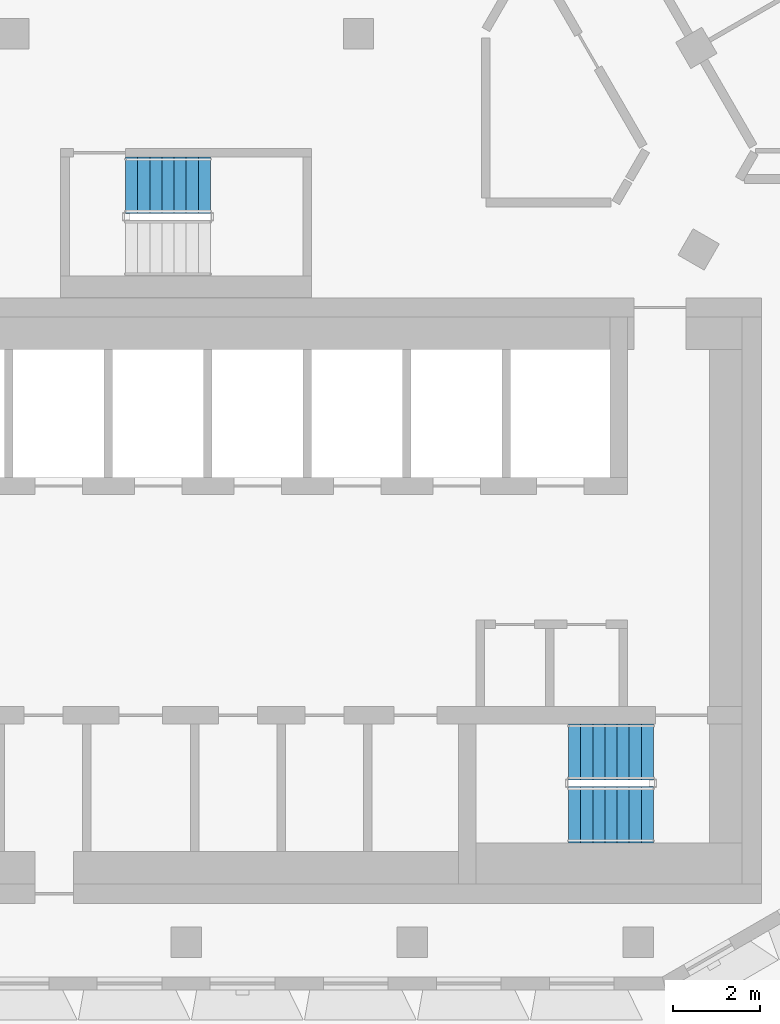
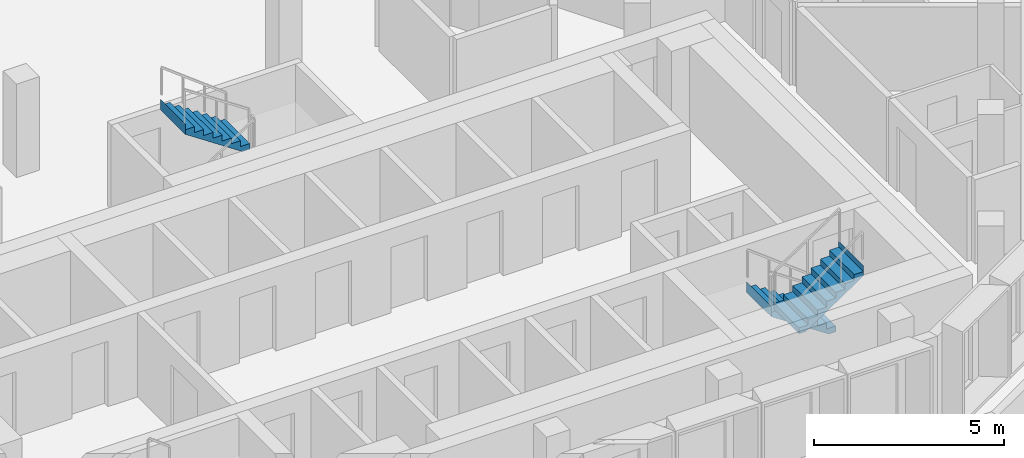
# One storey, part 11 of 15: 3 stair flights, 2 elements without a shape of their own.
"""IFC4 building model written with IfcOpenShell, lengths in metres."""

import ifcopenshell
import ifcopenshell.guid

model = None  # the IFC model being written
_history = None  # IfcOwnerHistory: only IFC2X3 demands one
_inside = {}  # id of a spatial element -> (the spatial element, [elements in it])
_under = {}  # id of a project, library or spatial element -> (it, [spatial elements below it])
_declared = {}  # id of a project -> (the project, [libraries it declares])
_typed = {}  # id of a type object -> (the type object, [elements of that type])
_made_of = {}  # id of a material, layer set ... -> (it, [elements and type objects made of it])


def new_model(schema):
    """Start an empty IFC model of exactly this schema.

    Asked for "IFC4X3", IfcOpenShell would pick the latest addendum, in which some entities
    have other attributes; the version numbers below select the first issue.
    IFC2X3 requires an IfcOwnerHistory on every rooted entity: one is made here for all.
    """
    global model, _history
    if schema == "IFC4X3":
        model = ifcopenshell.file(schema_version=(4, 3, 0, 0))
    else:
        model = ifcopenshell.file(schema=schema)
    _inside.clear()
    _under.clear()
    _declared.clear()
    _typed.clear()
    _made_of.clear()
    _history = None
    if model.schema == "IFC2X3":
        org = make("IfcOrganization", Name="unknown")
        user = make(
            "IfcPersonAndOrganization",
            ThePerson=make("IfcPerson", FamilyName="unknown"),
            TheOrganization=org,
        )
        app = make(
            "IfcApplication",
            ApplicationDeveloper=org,
            Version="unknown",
            ApplicationFullName="unknown",
            ApplicationIdentifier="unknown",
        )
        _history = make(
            "IfcOwnerHistory",
            OwningUser=user,
            OwningApplication=app,
            ChangeAction="ADDED",
            CreationDate=0,
        )
    return model


def make(cls, **values):
    """One entity of the class cls with the attributes given. An attribute that is None is left unset."""
    return model.create_entity(
        cls, **{name: value for name, value in values.items() if value is not None}
    )


def rooted(cls, **values):
    """An entity with a GlobalId (a new one), such as an element, a storey or a relation."""
    return make(cls, GlobalId=ifcopenshell.guid.new(), OwnerHistory=_history, **values)


def si_unit(unit_type, name, prefix=None):
    """IfcSIUnit, for example si_unit("LENGTHUNIT", "METRE", prefix="MILLI")."""
    return make("IfcSIUnit", UnitType=unit_type, Prefix=prefix, Name=name)


def assignment(units):
    """IfcUnitAssignment: the units of a project."""
    return None if units is None else make("IfcUnitAssignment", Units=units)


def point(xyz):
    """IfcCartesianPoint."""
    return None if xyz is None else make("IfcCartesianPoint", Coordinates=xyz)


def direction(xyz):
    """IfcDirection."""
    return None if xyz is None else make("IfcDirection", DirectionRatios=xyz)


def frame(location, z_axis=None, x_axis=None):
    """IfcAxis2Placement3D, a coordinate frame: its origin and axes. An axis left out is left unset."""
    return make(
        "IfcAxis2Placement3D",
        Location=point(location),
        Axis=direction(z_axis),
        RefDirection=direction(x_axis),
    )


def origin():
    """The frame at (0, 0, 0) with its axes left unset."""
    return frame((0.0, 0.0, 0.0))


def place(relative_to, where):
    """IfcLocalPlacement: puts the frame where relative to a parent placement (None: the world)."""
    return make(
        "IfcLocalPlacement", PlacementRelTo=relative_to, RelativePlacement=where
    )


def context(
    kind, dimensions, precision=None, world=None, true_north=None, identifier=None
):
    """IfcGeometricRepresentationContext, for example the 3D "Model" context."""
    return make(
        "IfcGeometricRepresentationContext",
        ContextIdentifier=identifier,
        ContextType=kind,
        CoordinateSpaceDimension=dimensions,
        Precision=precision,
        WorldCoordinateSystem=world,
        TrueNorth=true_north,
    )


def subcontext(parent, identifier, kind, view, scale=None):
    """IfcGeometricRepresentationSubContext, for example "Body" below "Model"."""
    return make(
        "IfcGeometricRepresentationSubContext",
        ContextIdentifier=identifier,
        ContextType=kind,
        ParentContext=parent,
        TargetScale=scale,
        TargetView=view,
    )


def project(units=None, contexts=None):
    """IfcProject with its units and contexts."""
    return rooted(
        "IfcProject",
        Name="project",
        RepresentationContexts=contexts,
        UnitsInContext=assignment(units),
    )


def spatial(cls, under=None, at=None, **own):
    """A site, building, storey or space (cls), placed at a placement, below another one or the project."""
    s = rooted(cls, ObjectPlacement=at, **own)
    if under is not None:
        _under.setdefault(under.id(), (under, []))[1].append(s)
    return s


def point_list(points):
    """IfcCartesianPointList2D or 3D."""
    cls = (
        "IfcCartesianPointList2D" if len(points[0]) == 2 else "IfcCartesianPointList3D"
    )
    return make(cls, CoordList=points)


def triangles(points, corners, closed=None, point_numbers=None):
    """IfcTriangulatedFaceSet: each triangle names its three corners, points numbered from 1."""
    return make(
        "IfcTriangulatedFaceSet",
        Coordinates=point_list(points),
        Closed=closed,
        CoordIndex=corners,
        PnIndex=point_numbers,
    )


def shape(context_of_items, identifier, shape_type, items):
    """IfcShapeRepresentation: the items that make up one representation, for example the "Body"."""
    return make(
        "IfcShapeRepresentation",
        ContextOfItems=context_of_items,
        RepresentationIdentifier=identifier,
        RepresentationType=shape_type,
        Items=items,
    )


def material(Name=None, Category=None):
    """IfcMaterial."""
    return make("IfcMaterial", Name=Name, Category=Category)


def made_of(thing, what):
    """Note that an element or type object is made of a material, layer set ...; save() writes the relation."""
    if what is not None:
        _made_of.setdefault(what.id(), (what, []))[1].append(thing)
    return thing


def type_object(cls, material=None, **own):
    """A type object (cls), such as IfcWallType, which elements share."""
    return made_of(rooted(cls, **own), material)


def element(
    cls,
    number,
    at=None,
    inside=None,
    cuts=None,
    type_object=None,
    material=None,
    context=None,
    identifier="Body",
    shape_type=None,
    held_by="IfcProductDefinitionShape",
    body=None,
    shapes=None,
    **own,
):
    """One element of the class cls, such as IfcWall. Its Tag is "e" and its number.

    at: its placement. inside: the storey or other place that contains it. cuts: it is an
    opening in that element (IfcRelVoidsElement). A single representation is given by context,
    identifier, shape_type and body (its items); several are given by shapes. held_by: the class
    of the entity that holds the representations. save() writes the other relations.
    """
    e = rooted(cls, Tag="e%d" % number, ObjectPlacement=at, **own)
    if body is not None:
        shapes = [shape(context, identifier, shape_type, body)]
    if shapes is not None:
        e.Representation = make(held_by, Representations=shapes)
    if inside is not None:
        _inside.setdefault(inside.id(), (inside, []))[1].append(e)
    if cuts is not None:
        rooted(
            "IfcRelVoidsElement", RelatingBuildingElement=cuts, RelatedOpeningElement=e
        )
    if type_object is not None:
        _typed.setdefault(type_object.id(), (type_object, []))[1].append(e)
    return made_of(e, material)


def aggregate(whole, parts):
    """IfcRelAggregates: a whole, such as a stair, and the parts it consists of."""
    return rooted("IfcRelAggregates", RelatingObject=whole, RelatedObjects=parts)


def save(model, path):
    """Write the relations noted so far, then the file.

    IfcRelAggregates (storeys below a building ...), IfcRelContainedInSpatialStructure (elements
    in a storey), IfcRelDefinesByType, IfcRelAssociatesMaterial and IfcRelDeclares: one each for
    every whole, place, type object, material and project.
    """
    for whole, parts in _under.values():
        aggregate(whole, parts)
    for where, things in _inside.values():
        rooted(
            "IfcRelContainedInSpatialStructure",
            RelatedElements=things,
            RelatingStructure=where,
        )
    for kind, things in _typed.values():
        rooted("IfcRelDefinesByType", RelatedObjects=things, RelatingType=kind)
    for what, things in _made_of.values():
        rooted("IfcRelAssociatesMaterial", RelatedObjects=things, RelatingMaterial=what)
    for by, libraries in _declared.values():
        rooted("IfcRelDeclares", RelatingContext=by, RelatedDefinitions=libraries)
    model.write(path)


model = new_model("IFC4")

# Units and contexts
model_context = context("Model", 3, precision=1e-05, world=origin(), true_north=direction((0.0, 1.0)))
body_context = subcontext(model_context, "Body", "Model", "MODEL_VIEW")
ifc_project = project(units=[si_unit("LENGTHUNIT", "METRE"), si_unit("AREAUNIT", "SQUARE_METRE"), si_unit("VOLUMEUNIT", "CUBIC_METRE"), si_unit("PLANEANGLEUNIT", "RADIAN"), si_unit("MASSUNIT", "GRAM", prefix="KILO")], contexts=[model_context])

# Site, building, storey
site_placement = place(None, origin())
site = spatial("IfcSite", under=ifc_project, at=site_placement, CompositionType="ELEMENT")
building_placement = place(site_placement, origin())
building = spatial("IfcBuilding", under=site, at=building_placement, Name="Beryl Residences", CompositionType="ELEMENT")
storey_placement = place(building_placement, frame((0.0, 0.0, 202.800048828125)))
storey = spatial("IfcBuildingStorey", under=building, at=storey_placement, Name="L62", CompositionType="ELEMENT", Elevation=202.800048828125)

# Stair, stair flights
ifc_material_1 = material(Name="Concrete C40/50", Category="concrete")
stair_type = type_object("IfcStairType", Name="ST1 protected exit stair, half-turn, 1300 mm flights", PredefinedType="HALF_TURN_STAIR", material=ifc_material_1)
stair_1_placement = place(storey_placement, origin())
stair_1 = element("IfcStair", 1, at=stair_1_placement, inside=storey, type_object=stair_type, Name="L62 PROTECTED EXIT STAIR ST-3", PredefinedType="HALF_TURN_STAIR")
ifc_material_2 = material(Name="Concrete C40/50", Category="concrete")
stair_flight_type = type_object("IfcStairFlightType", Name="SF1 stair flight 1300 mm", PredefinedType="STRAIGHT", material=ifc_material_2)
stair_flight_1_placement = place(storey_placement, frame((10.800048828125, -15.5, 0.0), z_axis=(0.0, 0.0, 1.0), x_axis=(-1.0, 0.0, 0.0)))
stair_flight_1 = element("IfcStairFlight", 2, at=stair_flight_1_placement, type_object=stair_flight_type, Name="ST-3 flight 1", NumberOfRisers=8, NumberOfTreads=7, PredefinedType="STRAIGHT", RiserHeight=0.1875, TreadLength=0.28, context=body_context, shape_type="Tessellation", body=[
    triangles([(0.0, -0.64990234375, 0.0), (0.0, -0.324951171875, 0.0), (0.0, 0.0, 0.0), (0.0, 0.324951171875, 0.0), (0.0, 0.64990234375, 0.0), (0.0, -0.64990234375, 0.1875), (0.0, -0.324951171875, 0.1875), (0.0, 0.0, 0.1875), (0.0, 0.324951171875, 0.1875), (0.0, 0.64990234375, 0.1875), (0.280029296875, -0.64990234375, 0.1875), (0.280029296875, -0.324951171875, 0.1875), (0.280029296875, 0.0, 0.1875), (0.280029296875, 0.324951171875, 0.1875), (0.280029296875, 0.64990234375, 0.1875), (0.280029296875, -0.64990234375, 0.375), (0.280029296875, -0.324951171875, 0.375), (0.280029296875, 0.0, 0.375), (0.280029296875, 0.324951171875, 0.375), (0.280029296875, 0.64990234375, 0.375), (0.56005859375, -0.64990234375, 0.375), (0.56005859375, -0.324951171875, 0.375), (0.56005859375, 0.0, 0.375), (0.56005859375, 0.324951171875, 0.375), (0.56005859375, 0.64990234375, 0.375), (0.56005859375, -0.64990234375, 0.5625), (0.56005859375, -0.324951171875, 0.5625), (0.56005859375, 0.0, 0.5625), (0.56005859375, 0.324951171875, 0.5625), (0.56005859375, 0.64990234375, 0.5625), (0.840087890625, -0.64990234375, 0.5625), (0.840087890625, -0.324951171875, 0.5625), (0.840087890625, 0.0, 0.5625), (0.840087890625, 0.324951171875, 0.5625), (0.840087890625, 0.64990234375, 0.5625), (0.840087890625, -0.64990234375, 0.75), (0.840087890625, -0.324951171875, 0.75), (0.840087890625, 0.0, 0.75), (0.840087890625, 0.324951171875, 0.75), (0.840087890625, 0.64990234375, 0.75), (1.1201171875, -0.64990234375, 0.75), (1.1201171875, -0.324951171875, 0.75), (1.1201171875, 0.0, 0.75), (1.1201171875, 0.324951171875, 0.75), (1.1201171875, 0.64990234375, 0.75), (1.1201171875, -0.64990234375, 0.9375), (1.1201171875, -0.324951171875, 0.9375), (1.1201171875, 0.0, 0.9375), (1.1201171875, 0.324951171875, 0.9375), (1.1201171875, 0.64990234375, 0.9375), (1.39990234375, -0.64990234375, 0.9375), (1.39990234375, -0.324951171875, 0.9375), (1.39990234375, 0.0, 0.9375), (1.39990234375, 0.324951171875, 0.9375), (1.39990234375, 0.64990234375, 0.9375), (1.39990234375, -0.64990234375, 1.125), (1.39990234375, -0.324951171875, 1.125), (1.39990234375, 0.0, 1.125), (1.39990234375, 0.324951171875, 1.125), (1.39990234375, 0.64990234375, 1.125), (1.679931640625, -0.64990234375, 1.125), (1.679931640625, -0.324951171875, 1.125), (1.679931640625, 0.0, 1.125), (1.679931640625, 0.324951171875, 1.125), (1.679931640625, 0.64990234375, 1.125), (1.679931640625, -0.64990234375, 1.3125), (1.679931640625, -0.324951171875, 1.3125), (1.679931640625, 0.0, 1.3125), (1.679931640625, 0.324951171875, 1.3125), (1.679931640625, 0.64990234375, 1.3125), (1.9599609375, -0.64990234375, 1.3125), (1.9599609375, -0.324951171875, 1.3125), (1.9599609375, 0.0, 1.3125), (1.9599609375, 0.324951171875, 1.3125), (1.9599609375, 0.64990234375, 1.3125), (1.9599609375, -0.64990234375, 1.5), (1.9599609375, -0.324951171875, 1.5), (1.9599609375, 0.0, 1.5), (1.9599609375, 0.324951171875, 1.5), (1.9599609375, 0.64990234375, 1.5), (1.9609375, -0.64990234375, 1.5), (1.9609375, -0.324951171875, 1.5), (1.9609375, 0.0, 1.5), (1.9609375, 0.324951171875, 1.5), (1.9609375, 0.64990234375, 1.5), (1.9609375, -0.64990234375, 1.16796875), (1.9609375, -0.324951171875, 1.16796875), (1.9609375, 0.0, 1.16796875), (1.9609375, 0.324951171875, 1.16796875), (1.9609375, 0.64990234375, 1.16796875), (0.216796875, -0.64990234375, 0.0), (0.216796875, -0.324951171875, 0.0), (0.216796875, 0.0, 0.0), (0.216796875, 0.324951171875, 0.0), (0.216796875, 0.64990234375, 0.0)], [[1, 6, 7], [1, 7, 2], [2, 7, 8], [2, 8, 3], [3, 8, 9], [3, 9, 4], [4, 9, 10], [4, 10, 5], [6, 11, 12], [6, 12, 7], [7, 12, 13], [7, 13, 8], [8, 13, 14], [8, 14, 9], [9, 14, 15], [9, 15, 10], [11, 16, 17], [11, 17, 12], [12, 17, 18], [12, 18, 13], [13, 18, 19], [13, 19, 14], [14, 19, 20], [14, 20, 15], [16, 21, 22], [16, 22, 17], [17, 22, 23], [17, 23, 18], [18, 23, 24], [18, 24, 19], [19, 24, 25], [19, 25, 20], [21, 26, 27], [21, 27, 22], [22, 27, 28], [22, 28, 23], [23, 28, 29], [23, 29, 24], [24, 29, 30], [24, 30, 25], [26, 31, 32], [26, 32, 27], [27, 32, 33], [27, 33, 28], [28, 33, 34], [28, 34, 29], [29, 34, 35], [29, 35, 30], [31, 36, 37], [31, 37, 32], [32, 37, 38], [32, 38, 33], [33, 38, 39], [33, 39, 34], [34, 39, 40], [34, 40, 35], [36, 41, 42], [36, 42, 37], [37, 42, 43], [37, 43, 38], [38, 43, 44], [38, 44, 39], [39, 44, 45], [39, 45, 40], [41, 46, 47], [41, 47, 42], [42, 47, 48], [42, 48, 43], [43, 48, 49], [43, 49, 44], [44, 49, 50], [44, 50, 45], [46, 51, 52], [46, 52, 47], [47, 52, 53], [47, 53, 48], [48, 53, 54], [48, 54, 49], [49, 54, 55], [49, 55, 50], [51, 56, 57], [51, 57, 52], [52, 57, 58], [52, 58, 53], [53, 58, 59], [53, 59, 54], [54, 59, 60], [54, 60, 55], [56, 61, 62], [56, 62, 57], [57, 62, 63], [57, 63, 58], [58, 63, 64], [58, 64, 59], [59, 64, 65], [59, 65, 60], [61, 66, 67], [61, 67, 62], [62, 67, 68], [62, 68, 63], [63, 68, 69], [63, 69, 64], [64, 69, 70], [64, 70, 65], [66, 71, 72], [66, 72, 67], [67, 72, 73], [67, 73, 68], [68, 73, 74], [68, 74, 69], [69, 74, 75], [69, 75, 70], [71, 76, 77], [71, 77, 72], [72, 77, 78], [72, 78, 73], [73, 78, 79], [73, 79, 74], [74, 79, 80], [74, 80, 75], [76, 81, 82], [76, 82, 77], [77, 82, 83], [77, 83, 78], [78, 83, 84], [78, 84, 79], [79, 84, 85], [79, 85, 80], [81, 86, 87], [81, 87, 82], [82, 87, 88], [82, 88, 83], [83, 88, 89], [83, 89, 84], [84, 89, 90], [84, 90, 85], [86, 91, 92], [86, 92, 87], [87, 92, 93], [87, 93, 88], [88, 93, 94], [88, 94, 89], [89, 94, 95], [89, 95, 90], [91, 1, 2], [91, 2, 92], [92, 2, 3], [92, 3, 93], [93, 3, 4], [93, 4, 94], [94, 4, 5], [94, 5, 95], [1, 91, 86], [5, 90, 95], [86, 81, 76], [90, 80, 85], [86, 76, 71], [90, 75, 80], [86, 71, 66], [90, 70, 75], [86, 66, 61], [90, 65, 70], [61, 56, 51], [65, 55, 60], [86, 61, 51], [90, 55, 65], [51, 46, 41], [55, 45, 50], [86, 51, 41], [90, 45, 55], [41, 36, 31], [45, 35, 40], [86, 41, 31], [90, 35, 45], [31, 26, 21], [35, 25, 30], [86, 31, 21], [90, 25, 35], [21, 16, 11], [25, 15, 20], [86, 21, 11], [90, 15, 25], [1, 86, 11], [5, 15, 90], [11, 6, 1], [15, 5, 10]], closed=True),
])
stair_flight_2_placement = place(storey_placement, frame((8.840087890625, -16.949951171875, 1.5), z_axis=(0.0, 0.0, 1.0), x_axis=(1.0, 0.0, 0.0)))
stair_flight_2 = element("IfcStairFlight", 3, at=stair_flight_2_placement, type_object=stair_flight_type, Name="ST-3 flight 2", NumberOfRisers=8, NumberOfTreads=7, PredefinedType="STRAIGHT", RiserHeight=0.1875, TreadLength=0.28, context=body_context, shape_type="Tessellation", body=[
    triangles([(0.0, -0.64990234375, 0.0), (0.0, -0.324951171875, 0.0), (0.0, 0.0, 0.0), (0.0, 0.324951171875, 0.0), (0.0, 0.64990234375, 0.0), (0.0, -0.64990234375, 0.1875), (0.0, -0.324951171875, 0.1875), (0.0, 0.0, 0.1875), (0.0, 0.324951171875, 0.1875), (0.0, 0.64990234375, 0.1875), (0.280029296875, -0.64990234375, 0.1875), (0.280029296875, -0.324951171875, 0.1875), (0.280029296875, 0.0, 0.1875), (0.280029296875, 0.324951171875, 0.1875), (0.280029296875, 0.64990234375, 0.1875), (0.280029296875, -0.64990234375, 0.375), (0.280029296875, -0.324951171875, 0.375), (0.280029296875, 0.0, 0.375), (0.280029296875, 0.324951171875, 0.375), (0.280029296875, 0.64990234375, 0.375), (0.56005859375, -0.64990234375, 0.375), (0.56005859375, -0.324951171875, 0.375), (0.56005859375, 0.0, 0.375), (0.56005859375, 0.324951171875, 0.375), (0.56005859375, 0.64990234375, 0.375), (0.56005859375, -0.64990234375, 0.5625), (0.56005859375, -0.324951171875, 0.5625), (0.56005859375, 0.0, 0.5625), (0.56005859375, 0.324951171875, 0.5625), (0.56005859375, 0.64990234375, 0.5625), (0.840087890625, -0.64990234375, 0.5625), (0.840087890625, -0.324951171875, 0.5625), (0.840087890625, 0.0, 0.5625), (0.840087890625, 0.324951171875, 0.5625), (0.840087890625, 0.64990234375, 0.5625), (0.840087890625, -0.64990234375, 0.75), (0.840087890625, -0.324951171875, 0.75), (0.840087890625, 0.0, 0.75), (0.840087890625, 0.324951171875, 0.75), (0.840087890625, 0.64990234375, 0.75), (1.1201171875, -0.64990234375, 0.75), (1.1201171875, -0.324951171875, 0.75), (1.1201171875, 0.0, 0.75), (1.1201171875, 0.324951171875, 0.75), (1.1201171875, 0.64990234375, 0.75), (1.1201171875, -0.64990234375, 0.9375), (1.1201171875, -0.324951171875, 0.9375), (1.1201171875, 0.0, 0.9375), (1.1201171875, 0.324951171875, 0.9375), (1.1201171875, 0.64990234375, 0.9375), (1.39990234375, -0.64990234375, 0.9375), (1.39990234375, -0.324951171875, 0.9375), (1.39990234375, 0.0, 0.9375), (1.39990234375, 0.324951171875, 0.9375), (1.39990234375, 0.64990234375, 0.9375), (1.39990234375, -0.64990234375, 1.125), (1.39990234375, -0.324951171875, 1.125), (1.39990234375, 0.0, 1.125), (1.39990234375, 0.324951171875, 1.125), (1.39990234375, 0.64990234375, 1.125), (1.679931640625, -0.64990234375, 1.125), (1.679931640625, -0.324951171875, 1.125), (1.679931640625, 0.0, 1.125), (1.679931640625, 0.324951171875, 1.125), (1.679931640625, 0.64990234375, 1.125), (1.679931640625, -0.64990234375, 1.3125), (1.679931640625, -0.324951171875, 1.3125), (1.679931640625, 0.0, 1.3125), (1.679931640625, 0.324951171875, 1.3125), (1.679931640625, 0.64990234375, 1.3125), (1.9599609375, -0.64990234375, 1.3125), (1.9599609375, -0.324951171875, 1.3125), (1.9599609375, 0.0, 1.3125), (1.9599609375, 0.324951171875, 1.3125), (1.9599609375, 0.64990234375, 1.3125), (1.9599609375, -0.64990234375, 1.5), (1.9599609375, -0.324951171875, 1.5), (1.9599609375, 0.0, 1.5), (1.9599609375, 0.324951171875, 1.5), (1.9599609375, 0.64990234375, 1.5), (1.9609375, -0.64990234375, 1.5), (1.9609375, -0.324951171875, 1.5), (1.9609375, 0.0, 1.5), (1.9609375, 0.324951171875, 1.5), (1.9609375, 0.64990234375, 1.5), (1.9609375, -0.64990234375, 1.16796875), (1.9609375, -0.324951171875, 1.16796875), (1.9609375, 0.0, 1.16796875), (1.9609375, 0.324951171875, 1.16796875), (1.9609375, 0.64990234375, 1.16796875), (0.216796875, -0.64990234375, 0.0), (0.216796875, -0.324951171875, 0.0), (0.216796875, 0.0, 0.0), (0.216796875, 0.324951171875, 0.0), (0.216796875, 0.64990234375, 0.0)], [[1, 6, 7], [1, 7, 2], [2, 7, 8], [2, 8, 3], [3, 8, 9], [3, 9, 4], [4, 9, 10], [4, 10, 5], [6, 11, 12], [6, 12, 7], [7, 12, 13], [7, 13, 8], [8, 13, 14], [8, 14, 9], [9, 14, 15], [9, 15, 10], [11, 16, 17], [11, 17, 12], [12, 17, 18], [12, 18, 13], [13, 18, 19], [13, 19, 14], [14, 19, 20], [14, 20, 15], [16, 21, 22], [16, 22, 17], [17, 22, 23], [17, 23, 18], [18, 23, 24], [18, 24, 19], [19, 24, 25], [19, 25, 20], [21, 26, 27], [21, 27, 22], [22, 27, 28], [22, 28, 23], [23, 28, 29], [23, 29, 24], [24, 29, 30], [24, 30, 25], [26, 31, 32], [26, 32, 27], [27, 32, 33], [27, 33, 28], [28, 33, 34], [28, 34, 29], [29, 34, 35], [29, 35, 30], [31, 36, 37], [31, 37, 32], [32, 37, 38], [32, 38, 33], [33, 38, 39], [33, 39, 34], [34, 39, 40], [34, 40, 35], [36, 41, 42], [36, 42, 37], [37, 42, 43], [37, 43, 38], [38, 43, 44], [38, 44, 39], [39, 44, 45], [39, 45, 40], [41, 46, 47], [41, 47, 42], [42, 47, 48], [42, 48, 43], [43, 48, 49], [43, 49, 44], [44, 49, 50], [44, 50, 45], [46, 51, 52], [46, 52, 47], [47, 52, 53], [47, 53, 48], [48, 53, 54], [48, 54, 49], [49, 54, 55], [49, 55, 50], [51, 56, 57], [51, 57, 52], [52, 57, 58], [52, 58, 53], [53, 58, 59], [53, 59, 54], [54, 59, 60], [54, 60, 55], [56, 61, 62], [56, 62, 57], [57, 62, 63], [57, 63, 58], [58, 63, 64], [58, 64, 59], [59, 64, 65], [59, 65, 60], [61, 66, 67], [61, 67, 62], [62, 67, 68], [62, 68, 63], [63, 68, 69], [63, 69, 64], [64, 69, 70], [64, 70, 65], [66, 71, 72], [66, 72, 67], [67, 72, 73], [67, 73, 68], [68, 73, 74], [68, 74, 69], [69, 74, 75], [69, 75, 70], [71, 76, 77], [71, 77, 72], [72, 77, 78], [72, 78, 73], [73, 78, 79], [73, 79, 74], [74, 79, 80], [74, 80, 75], [76, 81, 82], [76, 82, 77], [77, 82, 83], [77, 83, 78], [78, 83, 84], [78, 84, 79], [79, 84, 85], [79, 85, 80], [81, 86, 87], [81, 87, 82], [82, 87, 88], [82, 88, 83], [83, 88, 89], [83, 89, 84], [84, 89, 90], [84, 90, 85], [86, 91, 92], [86, 92, 87], [87, 92, 93], [87, 93, 88], [88, 93, 94], [88, 94, 89], [89, 94, 95], [89, 95, 90], [91, 1, 2], [91, 2, 92], [92, 2, 3], [92, 3, 93], [93, 3, 4], [93, 4, 94], [94, 4, 5], [94, 5, 95], [1, 91, 86], [5, 90, 95], [86, 81, 76], [90, 80, 85], [86, 76, 71], [90, 75, 80], [86, 71, 66], [90, 70, 75], [86, 66, 61], [90, 65, 70], [61, 56, 51], [65, 55, 60], [86, 61, 51], [90, 55, 65], [51, 46, 41], [55, 45, 50], [86, 51, 41], [90, 45, 55], [41, 36, 31], [45, 35, 40], [86, 41, 31], [90, 35, 45], [31, 26, 21], [35, 25, 30], [86, 31, 21], [90, 25, 35], [21, 16, 11], [25, 15, 20], [86, 21, 11], [90, 15, 25], [1, 86, 11], [5, 15, 90], [11, 6, 1], [15, 5, 10]], closed=True),
])
aggregate(stair_1, [stair_flight_1, stair_flight_2])

# Stair, stair flight
stair_2_placement = place(storey_placement, origin())
stair_2 = element("IfcStair", 4, at=stair_2_placement, inside=storey, type_object=stair_type, Name="L62 PROTECTED EXIT STAIR ST-4", PredefinedType="HALF_TURN_STAIR")
stair_flight_3_placement = place(storey_placement, frame((0.56005859375, -2.39990234375, 1.5), z_axis=(0.0, 0.0, 1.0), x_axis=(-1.0, 0.0, 0.0)))
stair_flight_3 = element("IfcStairFlight", 5, at=stair_flight_3_placement, type_object=stair_flight_type, Name="ST-4 flight 2", NumberOfRisers=8, NumberOfTreads=7, PredefinedType="STRAIGHT", RiserHeight=0.1875, TreadLength=0.28, context=body_context, shape_type="Tessellation", body=[
    triangles([(0.0, -0.64990234375, 0.0), (0.0, -0.324951171875, 0.0), (0.0, 0.0, 0.0), (0.0, 0.324951171875, 0.0), (0.0, 0.64990234375, 0.0), (0.0, -0.64990234375, 0.1875), (0.0, -0.324951171875, 0.1875), (0.0, 0.0, 0.1875), (0.0, 0.324951171875, 0.1875), (0.0, 0.64990234375, 0.1875), (0.280029296875, -0.64990234375, 0.1875), (0.280029296875, -0.324951171875, 0.1875), (0.280029296875, 0.0, 0.1875), (0.280029296875, 0.324951171875, 0.1875), (0.280029296875, 0.64990234375, 0.1875), (0.280029296875, -0.64990234375, 0.375), (0.280029296875, -0.324951171875, 0.375), (0.280029296875, 0.0, 0.375), (0.280029296875, 0.324951171875, 0.375), (0.280029296875, 0.64990234375, 0.375), (0.56005859375, -0.64990234375, 0.375), (0.56005859375, -0.324951171875, 0.375), (0.56005859375, 0.0, 0.375), (0.56005859375, 0.324951171875, 0.375), (0.56005859375, 0.64990234375, 0.375), (0.56005859375, -0.64990234375, 0.5625), (0.56005859375, -0.324951171875, 0.5625), (0.56005859375, 0.0, 0.5625), (0.56005859375, 0.324951171875, 0.5625), (0.56005859375, 0.64990234375, 0.5625), (0.840087890625, -0.64990234375, 0.5625), (0.840087890625, -0.324951171875, 0.5625), (0.840087890625, 0.0, 0.5625), (0.840087890625, 0.324951171875, 0.5625), (0.840087890625, 0.64990234375, 0.5625), (0.840087890625, -0.64990234375, 0.75), (0.840087890625, -0.324951171875, 0.75), (0.840087890625, 0.0, 0.75), (0.840087890625, 0.324951171875, 0.75), (0.840087890625, 0.64990234375, 0.75), (1.1201171875, -0.64990234375, 0.75), (1.1201171875, -0.324951171875, 0.75), (1.1201171875, 0.0, 0.75), (1.1201171875, 0.324951171875, 0.75), (1.1201171875, 0.64990234375, 0.75), (1.1201171875, -0.64990234375, 0.9375), (1.1201171875, -0.324951171875, 0.9375), (1.1201171875, 0.0, 0.9375), (1.1201171875, 0.324951171875, 0.9375), (1.1201171875, 0.64990234375, 0.9375), (1.39990234375, -0.64990234375, 0.9375), (1.39990234375, -0.324951171875, 0.9375), (1.39990234375, 0.0, 0.9375), (1.39990234375, 0.324951171875, 0.9375), (1.39990234375, 0.64990234375, 0.9375), (1.39990234375, -0.64990234375, 1.125), (1.39990234375, -0.324951171875, 1.125), (1.39990234375, 0.0, 1.125), (1.39990234375, 0.324951171875, 1.125), (1.39990234375, 0.64990234375, 1.125), (1.679931640625, -0.64990234375, 1.125), (1.679931640625, -0.324951171875, 1.125), (1.679931640625, 0.0, 1.125), (1.679931640625, 0.324951171875, 1.125), (1.679931640625, 0.64990234375, 1.125), (1.679931640625, -0.64990234375, 1.3125), (1.679931640625, -0.324951171875, 1.3125), (1.679931640625, 0.0, 1.3125), (1.679931640625, 0.324951171875, 1.3125), (1.679931640625, 0.64990234375, 1.3125), (1.9599609375, -0.64990234375, 1.3125), (1.9599609375, -0.324951171875, 1.3125), (1.9599609375, 0.0, 1.3125), (1.9599609375, 0.324951171875, 1.3125), (1.9599609375, 0.64990234375, 1.3125), (1.9599609375, -0.64990234375, 1.5), (1.9599609375, -0.324951171875, 1.5), (1.9599609375, 0.0, 1.5), (1.9599609375, 0.324951171875, 1.5), (1.9599609375, 0.64990234375, 1.5), (1.9609375, -0.64990234375, 1.5), (1.9609375, -0.324951171875, 1.5), (1.9609375, 0.0, 1.5), (1.9609375, 0.324951171875, 1.5), (1.9609375, 0.64990234375, 1.5), (1.9609375, -0.64990234375, 1.16796875), (1.9609375, -0.324951171875, 1.16796875), (1.9609375, 0.0, 1.16796875), (1.9609375, 0.324951171875, 1.16796875), (1.9609375, 0.64990234375, 1.16796875), (0.216796875, -0.64990234375, 0.0), (0.216796875, -0.324951171875, 0.0), (0.216796875, 0.0, 0.0), (0.216796875, 0.324951171875, 0.0), (0.216796875, 0.64990234375, 0.0)], [[1, 6, 7], [1, 7, 2], [2, 7, 8], [2, 8, 3], [3, 8, 9], [3, 9, 4], [4, 9, 10], [4, 10, 5], [6, 11, 12], [6, 12, 7], [7, 12, 13], [7, 13, 8], [8, 13, 14], [8, 14, 9], [9, 14, 15], [9, 15, 10], [11, 16, 17], [11, 17, 12], [12, 17, 18], [12, 18, 13], [13, 18, 19], [13, 19, 14], [14, 19, 20], [14, 20, 15], [16, 21, 22], [16, 22, 17], [17, 22, 23], [17, 23, 18], [18, 23, 24], [18, 24, 19], [19, 24, 25], [19, 25, 20], [21, 26, 27], [21, 27, 22], [22, 27, 28], [22, 28, 23], [23, 28, 29], [23, 29, 24], [24, 29, 30], [24, 30, 25], [26, 31, 32], [26, 32, 27], [27, 32, 33], [27, 33, 28], [28, 33, 34], [28, 34, 29], [29, 34, 35], [29, 35, 30], [31, 36, 37], [31, 37, 32], [32, 37, 38], [32, 38, 33], [33, 38, 39], [33, 39, 34], [34, 39, 40], [34, 40, 35], [36, 41, 42], [36, 42, 37], [37, 42, 43], [37, 43, 38], [38, 43, 44], [38, 44, 39], [39, 44, 45], [39, 45, 40], [41, 46, 47], [41, 47, 42], [42, 47, 48], [42, 48, 43], [43, 48, 49], [43, 49, 44], [44, 49, 50], [44, 50, 45], [46, 51, 52], [46, 52, 47], [47, 52, 53], [47, 53, 48], [48, 53, 54], [48, 54, 49], [49, 54, 55], [49, 55, 50], [51, 56, 57], [51, 57, 52], [52, 57, 58], [52, 58, 53], [53, 58, 59], [53, 59, 54], [54, 59, 60], [54, 60, 55], [56, 61, 62], [56, 62, 57], [57, 62, 63], [57, 63, 58], [58, 63, 64], [58, 64, 59], [59, 64, 65], [59, 65, 60], [61, 66, 67], [61, 67, 62], [62, 67, 68], [62, 68, 63], [63, 68, 69], [63, 69, 64], [64, 69, 70], [64, 70, 65], [66, 71, 72], [66, 72, 67], [67, 72, 73], [67, 73, 68], [68, 73, 74], [68, 74, 69], [69, 74, 75], [69, 75, 70], [71, 76, 77], [71, 77, 72], [72, 77, 78], [72, 78, 73], [73, 78, 79], [73, 79, 74], [74, 79, 80], [74, 80, 75], [76, 81, 82], [76, 82, 77], [77, 82, 83], [77, 83, 78], [78, 83, 84], [78, 84, 79], [79, 84, 85], [79, 85, 80], [81, 86, 87], [81, 87, 82], [82, 87, 88], [82, 88, 83], [83, 88, 89], [83, 89, 84], [84, 89, 90], [84, 90, 85], [86, 91, 92], [86, 92, 87], [87, 92, 93], [87, 93, 88], [88, 93, 94], [88, 94, 89], [89, 94, 95], [89, 95, 90], [91, 1, 2], [91, 2, 92], [92, 2, 3], [92, 3, 93], [93, 3, 4], [93, 4, 94], [94, 4, 5], [94, 5, 95], [1, 91, 86], [5, 90, 95], [86, 81, 76], [90, 80, 85], [86, 76, 71], [90, 75, 80], [86, 71, 66], [90, 70, 75], [86, 66, 61], [90, 65, 70], [61, 56, 51], [65, 55, 60], [86, 61, 51], [90, 55, 65], [51, 46, 41], [55, 45, 50], [86, 51, 41], [90, 45, 55], [41, 36, 31], [45, 35, 40], [86, 41, 31], [90, 35, 45], [31, 26, 21], [35, 25, 30], [86, 31, 21], [90, 25, 35], [21, 16, 11], [25, 15, 20], [86, 21, 11], [90, 15, 25], [1, 86, 11], [5, 15, 90], [11, 6, 1], [15, 5, 10]], closed=True),
])
aggregate(stair_2, [stair_flight_3])

save(model, "model.ifc")
